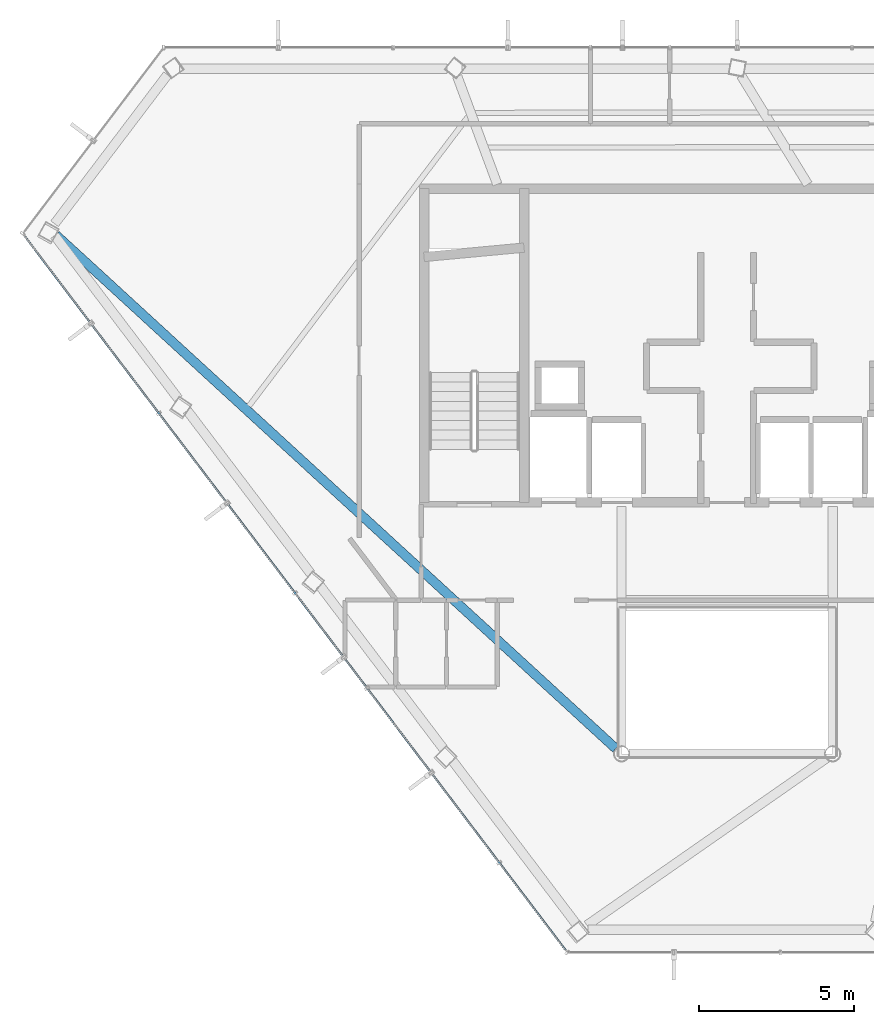
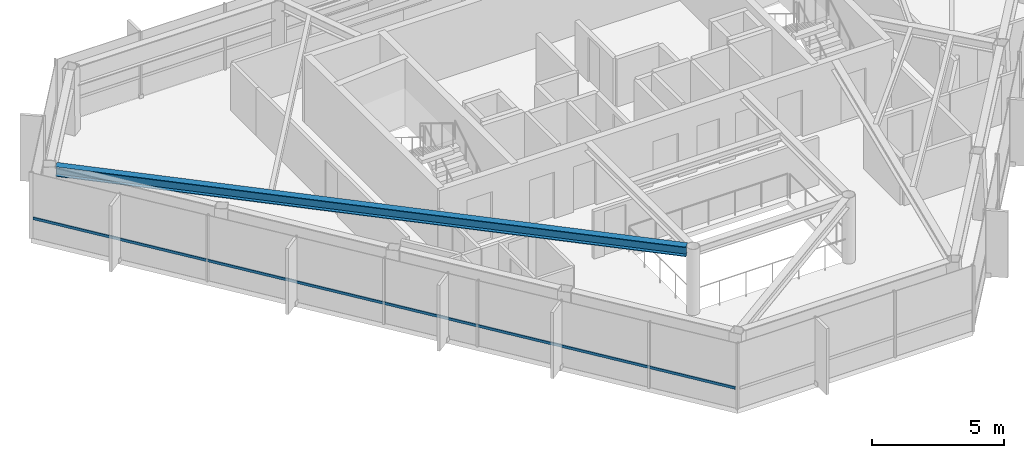
# One storey, part 4 of 24: 1 beam, 1 member, 1 element without a shape of its own.
"""IFC4 building model written with IfcOpenShell, lengths in metres."""

from ifc_helpers import new_model, si_unit, direction, frame, origin, origin_2d, place, context, subcontext, project, spatial, hollow_rectangle, i_section, extrude, material, layer, layer_set, material_profile, profile_set, type_object, element, aggregate, save


model = new_model("IFC4")

# Units and contexts
model_context = context("Model", 3, precision=1e-05, world=origin(), true_north=direction((0.0, 1.0)))
body_context = subcontext(model_context, "Body", "Model", "MODEL_VIEW")
ifc_project = project(units=[si_unit("LENGTHUNIT", "METRE"), si_unit("AREAUNIT", "SQUARE_METRE"), si_unit("VOLUMEUNIT", "CUBIC_METRE"), si_unit("PLANEANGLEUNIT", "RADIAN"), si_unit("MASSUNIT", "GRAM", prefix="KILO")], contexts=[model_context])

# Site, building, storey
site_placement = place(None, origin())
site = spatial("IfcSite", under=ifc_project, at=site_placement, CompositionType="ELEMENT")
building_placement = place(site_placement, origin())
building = spatial("IfcBuilding", under=site, at=building_placement, Name="Zarrinselat Tower", CompositionType="ELEMENT")
storey_placement = place(building_placement, frame((0.0, 0.0, 249.56005859375)))
storey = spatial("IfcBuildingStorey", under=building, at=storey_placement, Name="L63", CompositionType="ELEMENT", Elevation=249.56005859375)

# Beam
ifc_material_1 = material(Name="Steel S355J2", Category="steel")
ifc_material_profile_1 = material_profile(ifc_material_1, i_section(OverallWidth=0.300048828125, OverallDepth=0.449951171875, WebThickness=0.013916015625, FlangeThickness=0.02587890625, at=origin_2d()), Name="HEB 450")
ifc_profile_set_1 = profile_set([ifc_material_profile_1], Name="Steel S355J2")
beam_type = type_object("IfcBeamType", Name="BM-HEB450", PredefinedType="BEAM", material=ifc_profile_set_1)
beam_placement = place(storey_placement, frame((16.787109375, 41.9091796875, 2.824951171875), z_axis=(0.736871590376, -0.676032735373, 0.0), x_axis=(0.676032735373, 0.736871590376, 0.0)))
element("IfcBeam", 1, at=beam_placement, inside=storey, type_object=beam_type, Name="L63 Radial Primary Girder RG06", PredefinedType="BEAM", context=body_context, shape_type="SweptSolid", body=[
    extrude(i_section(OverallWidth=0.300048828125, OverallDepth=0.449951171875, WebThickness=0.013916015625, FlangeThickness=0.02587890625, at=origin_2d()), origin(), (0.0, 0.0, 1.0), 24.466796875),
])

# Curtain wall, member
ifc_material_2 = material(Name="Extruded Aluminium Alloy EN AW-6063 T6", Category="aluminium")
ifc_layer = layer(ifc_material_2, 0.169921875)
ifc_layer_set = layer_set([ifc_layer], Name="Extruded Aluminium Alloy EN AW-6063 T6")
curtain_wall_type = type_object("IfcCurtainWallType", Name="CWS-RES", PredefinedType="NOTDEFINED", material=ifc_layer_set)
curtain_wall_placement = place(storey_placement, origin())
curtain_wall = element("IfcCurtainWall", 2, at=curtain_wall_placement, inside=storey, type_object=curtain_wall_type, Name="L63 Unitised Curtain Wall CW-L63-E03", PredefinedType="NOTDEFINED")
ifc_material_3 = material(Name="Extruded Aluminium Alloy EN AW-6063 T6", Category="aluminium")
ifc_material_profile_2 = material_profile(ifc_material_3, hollow_rectangle(XDim=0.06005859375, YDim=0.1201171875, WallThickness=0.00390625, at=origin_2d()), Name="RHS 120x60x4")
ifc_profile_set_2 = profile_set([ifc_material_profile_2], Name="Extruded Aluminium Alloy EN AW-6063 T6")
member_type = type_object("IfcMemberType", Name="MEM-CW-TRN2", PredefinedType="USERDEFINED", material=ifc_profile_set_2)
member_placement = place(storey_placement, frame((15.77001953125, 41.8828125, 0.949951171875), z_axis=(0.60385654811, -0.797093011702, 0.0), x_axis=(0.797093011702, 0.60385654811, 0.0)))
member = element("IfcMember", 3, at=member_placement, type_object=member_type, Name="CW-L63-E03 Transom 1", ObjectType="TRANSOM", PredefinedType="USERDEFINED", context=body_context, shape_type="SweptSolid", body=[
    extrude(hollow_rectangle(XDim=0.06005859375, YDim=0.1201171875, WallThickness=0.00390625, at=origin_2d()), origin(), (0.0, 0.0, 1.0), 28.865478515625),
])
aggregate(curtain_wall, [member])

save(model, "model.ifc")
